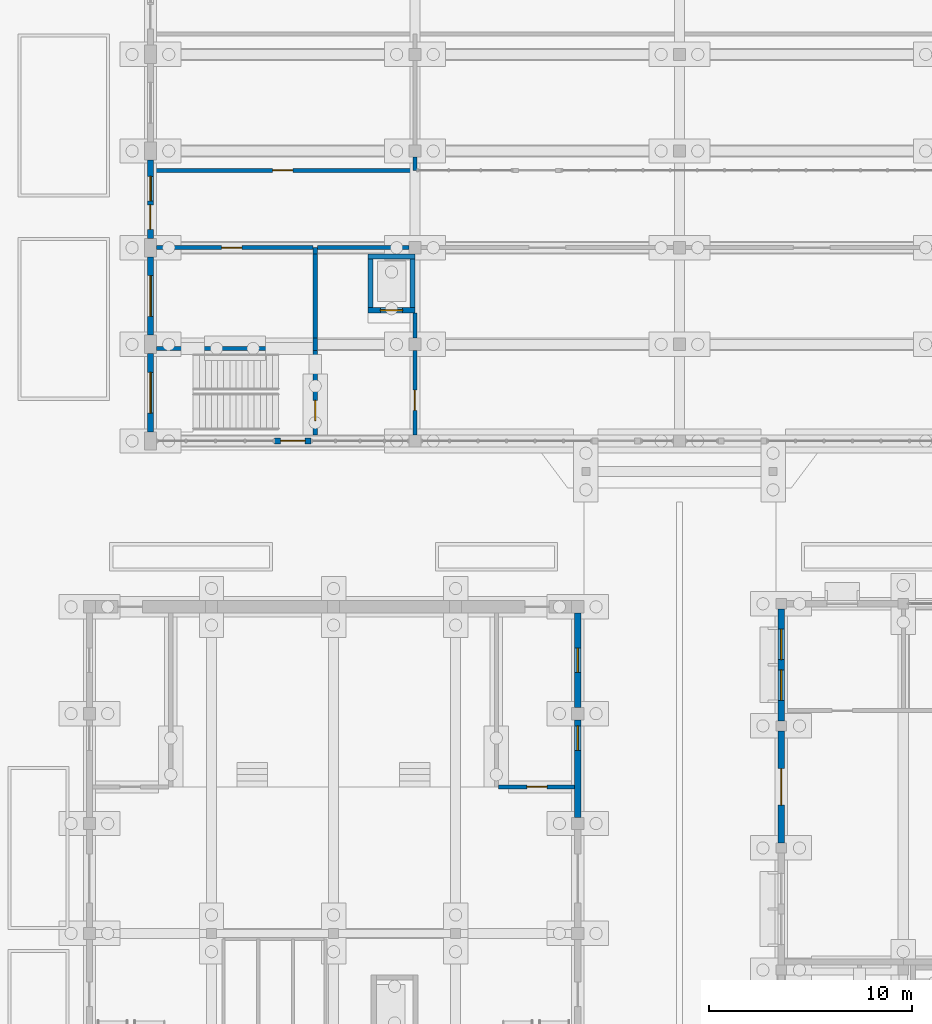
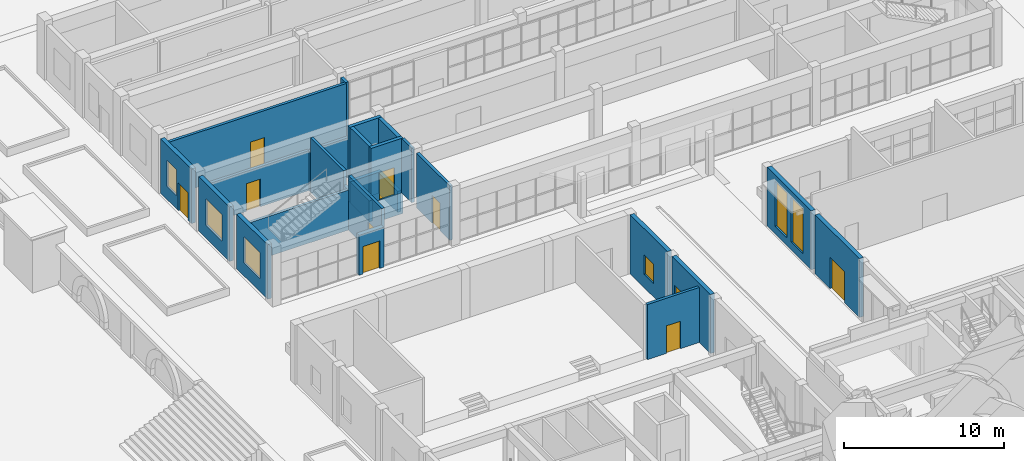
# One storey, part 55 of 161: 28 walls, 9 doors, 7 windows, 16 openings.
"""IFC4 building model written with IfcOpenShell, lengths in metres."""

from ifc_helpers import new_model, si_unit, direction, frame, frame_2d, origin, place, context, subcontext, project, spatial, rectangle, extrude, material, layer, layer_set, type_object, element, fill, save


model = new_model("IFC4")

# Units and contexts
model_context = context("Model", 3, precision=1e-05, world=origin(), true_north=direction((0.0, 1.0)))
body_context = subcontext(model_context, "Body", "Model", "MODEL_VIEW")
ifc_project = project(units=[si_unit("LENGTHUNIT", "METRE"), si_unit("AREAUNIT", "SQUARE_METRE"), si_unit("VOLUMEUNIT", "CUBIC_METRE"), si_unit("PLANEANGLEUNIT", "RADIAN"), si_unit("MASSUNIT", "GRAM", prefix="KILO")], contexts=[model_context])

# Site, building, storey
site_placement = place(None, origin())
site = spatial("IfcSite", under=ifc_project, at=site_placement, CompositionType="ELEMENT")
building_placement = place(site_placement, origin())
building = spatial("IfcBuilding", under=site, at=building_placement, Name="Elbe Cascade School", CompositionType="ELEMENT")
storey_placement = place(building_placement, origin())
storey = spatial("IfcBuildingStorey", under=building, at=storey_placement, Name="L00", CompositionType="ELEMENT", Elevation=0.0)

# Wall, opening, window
ifc_material_1 = material(Name="Concrete C30/37", Category="concrete")
ifc_layer_1 = layer(ifc_material_1, 0.300048828125)
ifc_layer_set_1 = layer_set([ifc_layer_1], Name="Concrete C30/37")
wall_type_1 = type_object("IfcWallType", Name="Assembly hall RC wall 300", PredefinedType="SOLIDWALL", material=ifc_layer_set_1)
wall_1_placement = place(storey_placement, frame((29.0, 27.300048828125, 0.0), z_axis=(0.0, 0.0, 1.0), x_axis=(0.0, -1.0, 0.0)))
wall_1 = element("IfcWall", 1, at=wall_1_placement, inside=storey, type_object=wall_type_1, Name="Assembly hall RC wall 300 W5", PredefinedType="SOLIDWALL", context=body_context, shape_type="SweptSolid", body=[
    extrude(rectangle(XDim=4.800048828125, YDim=0.300048828125, at=frame_2d((2.39990234375, 0.0))), origin(), (0.0, 0.0, 1.0), 4.5),
])
opening_1_placement = place(wall_1_placement, frame((0.300048828125, 0.0, 1.0)))
opening_1 = element("IfcOpeningElement", 2, at=opening_1_placement, cuts=wall_1, Name="Opening W0.140", PredefinedType="OPENING", context=body_context, shape_type="SweptSolid", body=[
    extrude(rectangle(XDim=1.199951171875, YDim=1.5, at=frame_2d((0.60009765625, 0.75))), frame((0.0, 0.159912109375, 0.0), z_axis=(0.0, -1.0, 0.0), x_axis=(1.0, 0.0, 0.0)), (0.0, 0.0, 1.0), 0.320068359375),
])
ifc_material_2 = material(Name="Aluminium - bronze anodised", Category="aluminium")
window_type_1 = type_object("IfcWindowType", Name="Assembly hall small window 1200x1500 sill 1000", PartitioningType="SINGLE_PANEL", PredefinedType="WINDOW", material=ifc_material_2)
window_1_placement = place(opening_1_placement, origin())
window_1 = element("IfcWindow", 3, at=window_1_placement, inside=storey, type_object=window_type_1, Name="Assembly hall small window 1200x1500 sill 1000 W0.140", OverallHeight=1.5, OverallWidth=1.199951171875, PartitioningType="SINGLE_PANEL", PredefinedType="WINDOW", context=body_context, shape_type="SweptSolid", body=[
    extrude(rectangle(XDim=1.199951171875, YDim=1.5, at=frame_2d((0.60009765625, 0.75))), frame((0.0, 0.030029296875, 0.0), z_axis=(0.0, -1.0, 0.0), x_axis=(1.0, 0.0, 0.0)), (0.0, 0.0, 1.0), 0.06005859375),
])
fill(opening_1, window_1)

wall_2_placement = place(storey_placement, frame((29.0, 32.550048828125, 0.0), z_axis=(0.0, 0.0, 1.0), x_axis=(0.0, -1.0, 0.0)))
wall_2 = element("IfcWall", 4, at=wall_2_placement, inside=storey, type_object=wall_type_1, Name="Assembly hall RC wall 300 W5", PredefinedType="SOLIDWALL", context=body_context, shape_type="SweptSolid", body=[
    extrude(rectangle(XDim=4.650146484375, YDim=0.300048828125, at=frame_2d((2.3251953125, 0.0))), origin(), (0.0, 0.0, 1.0), 4.5),
])
opening_2_placement = place(wall_2_placement, frame((1.72509765625, 0.0, 1.0)))
opening_2 = element("IfcOpeningElement", 5, at=opening_2_placement, cuts=wall_2, Name="Opening W0.142", PredefinedType="OPENING", context=body_context, shape_type="SweptSolid", body=[
    extrude(rectangle(XDim=1.199951171875, YDim=1.5, at=frame_2d((0.60009765625, 0.75))), frame((0.0, 0.159912109375, 0.0), z_axis=(0.0, -1.0, 0.0), x_axis=(1.0, 0.0, 0.0)), (0.0, 0.0, 1.0), 0.320068359375),
])
window_2_placement = place(opening_2_placement, origin())
window_2 = element("IfcWindow", 6, at=window_2_placement, inside=storey, type_object=window_type_1, Name="Assembly hall small window 1200x1500 sill 1000 W0.142", OverallHeight=1.5, OverallWidth=1.199951171875, PartitioningType="SINGLE_PANEL", PredefinedType="WINDOW", context=body_context, shape_type="SweptSolid", body=[
    extrude(rectangle(XDim=1.199951171875, YDim=1.5, at=frame_2d((0.60009765625, 0.75))), frame((0.0, 0.030029296875, 0.0), z_axis=(0.0, -1.0, 0.0), x_axis=(1.0, 0.0, 0.0)), (0.0, 0.0, 1.0), 0.06005859375),
])
fill(opening_2, window_2)

# Wall, opening, door
ifc_material_3 = material(Name="Concrete C30/37", Category="concrete")
ifc_layer_2 = layer(ifc_material_3, 0.199951171875)
ifc_layer_set_2 = layer_set([ifc_layer_2], Name="Concrete C30/37")
wall_type_2 = type_object("IfcWallType", Name="Assembly hall concrete partition wall 200", PredefinedType="SOLIDWALL", material=ifc_layer_set_2)
wall_3_placement = place(storey_placement, frame((25.10009765625, 24.0, 0.0), z_axis=(0.0, 0.0, 1.0), x_axis=(1.0, 0.0, 0.0)))
wall_3 = element("IfcWall", 7, at=wall_3_placement, inside=storey, type_object=wall_type_2, Name="Assembly hall concrete partition wall 200 W9", PredefinedType="SOLIDWALL", context=body_context, shape_type="SweptSolid", body=[
    extrude(rectangle(XDim=3.75, YDim=0.199951171875, at=frame_2d((1.875, 0.0))), origin(), (0.0, 0.0, 1.0), 4.199951171875),
])
opening_3_placement = place(wall_3_placement, frame((1.39990234375, 0.0, 0.0)))
opening_3 = element("IfcOpeningElement", 8, at=opening_3_placement, cuts=wall_3, Name="Opening D0.166", PredefinedType="OPENING", context=body_context, shape_type="SweptSolid", body=[
    extrude(rectangle(XDim=1.0, YDim=2.10009765625, at=frame_2d((0.5, 1.050048828125))), frame((0.0, 0.10986328125, 0.0), z_axis=(0.0, -1.0, 0.0), x_axis=(1.0, 0.0, 0.0)), (0.0, 0.0, 1.0), 0.219970703125),
])
ifc_material_4 = material(Name="Timber - oak door leaf", Category="wood")
door_type_1 = type_object("IfcDoorType", Name="Assembly hall back-of-house door 1000x2100 swing NOT RATED", OperationType="NOTDEFINED", PredefinedType="NOTDEFINED", material=ifc_material_4)
door_1_placement = place(opening_3_placement, origin())
door_1 = element("IfcDoor", 9, at=door_1_placement, inside=storey, type_object=door_type_1, Name="Assembly hall back-of-house door 1000x2100 swing NOT RATED D0.166", OperationType="SINGLE_SWING_RIGHT", OverallHeight=2.10009765625, OverallWidth=1.0, PredefinedType="NOTDEFINED", context=body_context, shape_type="SweptSolid", body=[
    extrude(rectangle(XDim=1.0, YDim=2.10009765625, at=frame_2d((0.5, 1.050048828125))), frame((0.0, 0.02490234375, 0.0), z_axis=(0.0, -1.0, 0.0), x_axis=(1.0, 0.0, 0.0)), (0.0, 0.0, 1.0), 0.050048828125),
])
fill(opening_3, door_1)

ifc_material_5 = material(Name="Concrete C30/37", Category="concrete")
ifc_layer_3 = layer(ifc_material_5, 0.300048828125)
ifc_layer_set_3 = layer_set([ifc_layer_3], Name="Concrete C30/37")
wall_type_3 = type_object("IfcWallType", Name="Dining hall RC wall 300", PredefinedType="SOLIDWALL", material=ifc_layer_set_3)
wall_4_placement = place(storey_placement, frame((39.0, 21.25, 0.0), z_axis=(0.0, 0.0, 1.0), x_axis=(0.0, 1.0, 0.0)))
wall_4 = element("IfcWall", 10, at=wall_4_placement, inside=storey, type_object=wall_type_3, Name="Dining hall RC wall 300 W11", PredefinedType="SOLIDWALL", context=body_context, shape_type="SweptSolid", body=[
    extrude(rectangle(XDim=5.5, YDim=0.300048828125, at=frame_2d((2.75, 0.0))), origin(), (0.0, 0.0, 1.0), 4.5),
])
opening_4_placement = place(wall_4_placement, frame((1.85009765625, 0.0, 0.0)))
opening_4 = element("IfcOpeningElement", 11, at=opening_4_placement, cuts=wall_4, Name="Opening D0.182", PredefinedType="OPENING", context=body_context, shape_type="SweptSolid", body=[
    extrude(rectangle(XDim=1.800048828125, YDim=2.39990234375, at=frame_2d((0.89990234375, 1.199951171875))), frame((0.0, 0.159912109375, 0.0), z_axis=(0.0, -1.0, 0.0), x_axis=(1.0, 0.0, 0.0)), (0.0, 0.0, 1.0), 0.320068359375),
])
ifc_material_6 = material(Name="Timber - oak door leaf", Category="wood")
door_type_2 = type_object("IfcDoorType", Name="Dining hall exit door 1800x2400 double NOT RATED", OperationType="DOUBLE_DOOR_SINGLE_SWING", PredefinedType="NOTDEFINED", material=ifc_material_6)
door_2_placement = place(opening_4_placement, origin())
door_2 = element("IfcDoor", 12, at=door_2_placement, inside=storey, type_object=door_type_2, Name="Dining hall exit door 1800x2400 double NOT RATED D0.182", OperationType="DOUBLE_DOOR_SINGLE_SWING", OverallHeight=2.39990234375, OverallWidth=1.800048828125, PredefinedType="NOTDEFINED", context=body_context, shape_type="SweptSolid", body=[
    extrude(rectangle(XDim=1.800048828125, YDim=2.39990234375, at=frame_2d((0.89990234375, 1.199951171875))), frame((0.0, 0.02490234375, 0.0), z_axis=(0.0, -1.0, 0.0), x_axis=(1.0, 0.0, 0.0)), (0.0, 0.0, 1.0), 0.050048828125),
])
fill(opening_4, door_2)

# Wall, openings, windows
wall_5_placement = place(storey_placement, frame((39.0, 27.25, 0.0), z_axis=(0.0, 0.0, 1.0), x_axis=(0.0, 1.0, 0.0)))
wall_5 = element("IfcWall", 13, at=wall_5_placement, inside=storey, type_object=wall_type_3, Name="Dining hall RC wall 300 W11", PredefinedType="SOLIDWALL", context=body_context, shape_type="SweptSolid", body=[
    extrude(rectangle(XDim=5.5, YDim=0.300048828125, at=frame_2d((2.75, 0.0))), origin(), (0.0, 0.0, 1.0), 4.5),
])
opening_5_placement = place(wall_5_placement, frame((1.0, 0.0, 0.60009765625)))
opening_5 = element("IfcOpeningElement", 14, at=opening_5_placement, cuts=wall_5, Name="Opening W0.152", PredefinedType="OPENING", context=body_context, shape_type="SweptSolid", body=[
    extrude(rectangle(XDim=1.5, YDim=3.39990234375, at=frame_2d((0.75, 1.699951171875))), frame((0.0, 0.159912109375, 0.0), z_axis=(0.0, -1.0, 0.0), x_axis=(1.0, 0.0, 0.0)), (0.0, 0.0, 1.0), 0.320068359375),
])
opening_6_placement = place(wall_5_placement, frame((3.0, 0.0, 0.60009765625)))
opening_6 = element("IfcOpeningElement", 15, at=opening_6_placement, cuts=wall_5, Name="Opening W0.154", PredefinedType="OPENING", context=body_context, shape_type="SweptSolid", body=[
    extrude(rectangle(XDim=1.5, YDim=3.39990234375, at=frame_2d((0.75, 1.699951171875))), frame((0.0, 0.159912109375, 0.0), z_axis=(0.0, -1.0, 0.0), x_axis=(1.0, 0.0, 0.0)), (0.0, 0.0, 1.0), 0.320068359375),
])
ifc_material_7 = material(Name="Aluminium - bronze anodised", Category="aluminium")
window_type_2 = type_object("IfcWindowType", Name="Dining hall window 1500x3400 sill 600", PartitioningType="SINGLE_PANEL", PredefinedType="WINDOW", material=ifc_material_7)
window_3_placement = place(opening_5_placement, origin())
window_3 = element("IfcWindow", 16, at=window_3_placement, inside=storey, type_object=window_type_2, Name="Dining hall window 1500x3400 sill 600 W0.152", OverallHeight=3.39990234375, OverallWidth=1.5, PartitioningType="SINGLE_PANEL", PredefinedType="WINDOW", context=body_context, shape_type="SweptSolid", body=[
    extrude(rectangle(XDim=1.5, YDim=3.39990234375, at=frame_2d((0.75, 1.699951171875))), frame((0.0, 0.030029296875, 0.0), z_axis=(0.0, -1.0, 0.0), x_axis=(1.0, 0.0, 0.0)), (0.0, 0.0, 1.0), 0.06005859375),
])
fill(opening_5, window_3)
window_4_placement = place(opening_6_placement, origin())
window_4 = element("IfcWindow", 17, at=window_4_placement, inside=storey, type_object=window_type_2, Name="Dining hall window 1500x3400 sill 600 W0.154", OverallHeight=3.39990234375, OverallWidth=1.5, PartitioningType="SINGLE_PANEL", PredefinedType="WINDOW", context=body_context, shape_type="SweptSolid", body=[
    extrude(rectangle(XDim=1.5, YDim=3.39990234375, at=frame_2d((0.75, 1.699951171875))), frame((0.0, 0.030029296875, 0.0), z_axis=(0.0, -1.0, 0.0), x_axis=(1.0, 0.0, 0.0)), (0.0, 0.0, 1.0), 0.06005859375),
])
fill(opening_6, window_4)

# Wall, opening, door
ifc_material_8 = material(Name="Blockwork - lightweight aggregate", Category="masonry")
ifc_layer_4 = layer(ifc_material_8, 0.199951171875)
ifc_layer_set_4 = layer_set([ifc_layer_4], Name="Blockwork - lightweight aggregate")
wall_type_4 = type_object("IfcWallType", Name="Hall blockwork partition 200", PredefinedType="PARTITIONING", material=ifc_layer_set_4)
wall_6_placement = place(storey_placement, frame((8.300048828125, 50.5, 0.0), z_axis=(0.0, 0.0, 1.0), x_axis=(1.0, 0.0, 0.0)))
wall_6 = element("IfcWall", 18, at=wall_6_placement, inside=storey, type_object=wall_type_4, Name="Partition", PredefinedType="PARTITIONING", context=body_context, shape_type="SweptSolid", body=[
    extrude(rectangle(XDim=7.699951171875, YDim=0.199951171875, at=frame_2d((3.85009765625, 0.0))), origin(), (0.0, 0.0, 1.0), 3.050048828125),
])
opening_7_placement = place(wall_6_placement, frame((3.199951171875, 0.0, 0.0)))
opening_7 = element("IfcOpeningElement", 19, at=opening_7_placement, cuts=wall_6, Name="Opening D0.136", PredefinedType="OPENING", context=body_context, shape_type="SweptSolid", body=[
    extrude(rectangle(XDim=1.0, YDim=2.10009765625, at=frame_2d((0.5, 1.050048828125))), frame((0.0, 0.10986328125, 0.0), z_axis=(0.0, -1.0, 0.0), x_axis=(1.0, 0.0, 0.0)), (0.0, 0.0, 1.0), 0.219970703125),
])
ifc_material_9 = material(Name="Timber door leaf", Category="wood")
door_type_3 = type_object("IfcDoorType", Name="Hall door 1000", OperationType="SINGLE_SWING_LEFT", PredefinedType="DOOR", material=ifc_material_9)
door_3_placement = place(opening_7_placement, frame((1.0, 0.0, 0.0), z_axis=(0.0, 0.0, 1.0), x_axis=(-1.0, 0.0, 0.0)))
door_3 = element("IfcDoor", 20, at=door_3_placement, inside=storey, type_object=door_type_3, Name="Staff room door", OperationType="SINGLE_SWING_LEFT", OverallHeight=2.10009765625, OverallWidth=1.0, PredefinedType="DOOR", context=body_context, shape_type="SweptSolid", body=[
    extrude(rectangle(XDim=1.0, YDim=2.10009765625, at=frame_2d((0.5, 1.050048828125))), frame((0.0, 0.02490234375, 0.0), z_axis=(0.0, -1.0, 0.0), x_axis=(1.0, 0.0, 0.0)), (0.0, 0.0, 1.0), 0.050048828125),
])
fill(opening_7, door_3)

wall_7_placement = place(storey_placement, frame((8.14990234375, 54.300048828125, 0.0), z_axis=(0.0, 0.0, 1.0), x_axis=(1.0, 0.0, 0.0)))
wall_7 = element("IfcWall", 21, at=wall_7_placement, inside=storey, type_object=wall_type_4, Name="Partition", PredefinedType="PARTITIONING", context=body_context, shape_type="SweptSolid", body=[
    extrude(rectangle(XDim=12.75, YDim=0.199951171875, at=frame_2d((6.375, 0.0))), origin(), (0.0, 0.0, 1.0), 4.14990234375),
])
opening_8_placement = place(wall_7_placement, frame((5.85009765625, 0.0, 0.0)))
opening_8 = element("IfcOpeningElement", 22, at=opening_8_placement, cuts=wall_7, Name="Opening D0.143", PredefinedType="OPENING", context=body_context, shape_type="SweptSolid", body=[
    extrude(rectangle(XDim=1.0, YDim=2.10009765625, at=frame_2d((0.5, 1.050048828125))), frame((0.0, 0.10986328125, 0.0), z_axis=(0.0, -1.0, 0.0), x_axis=(1.0, 0.0, 0.0)), (0.0, 0.0, 1.0), 0.219970703125),
])
door_4_placement = place(opening_8_placement, origin())
door_4 = element("IfcDoor", 23, at=door_4_placement, inside=storey, type_object=door_type_3, Name="Changing room door", OperationType="SINGLE_SWING_RIGHT", OverallHeight=2.10009765625, OverallWidth=1.0, PredefinedType="DOOR", context=body_context, shape_type="SweptSolid", body=[
    extrude(rectangle(XDim=1.0, YDim=2.10009765625, at=frame_2d((0.5, 1.050048828125))), frame((0.0, 0.02490234375, 0.0), z_axis=(0.0, -1.0, 0.0), x_axis=(1.0, 0.0, 0.0)), (0.0, 0.0, 1.0), 0.050048828125),
])
fill(opening_8, door_4)

# Walls
wall_8_placement = place(storey_placement, frame((21.0, 54.300048828125, 0.0), z_axis=(0.0, 0.0, 1.0), x_axis=(0.0, 1.0, 0.0)))
element("IfcWall", 24, at=wall_8_placement, inside=storey, type_object=wall_type_4, Name="Partition", PredefinedType="PARTITIONING", context=body_context, shape_type="SweptSolid", body=[
    extrude(rectangle(XDim=0.64990234375, YDim=0.199951171875, at=frame_2d((0.324951171875, 0.0))), origin(), (0.0, 0.0, 1.0), 4.14990234375),
])
ifc_material_10 = material(Name="Blockwork - lightweight aggregate, fire-rated", Category="masonry")
ifc_layer_5 = layer(ifc_material_10, 0.199951171875)
ifc_layer_set_5 = layer_set([ifc_layer_5], Name="Blockwork - lightweight aggregate, fire-rated")
wall_type_5 = type_object("IfcWallType", Name="Hall fire-rated partition 200", PredefinedType="PARTITIONING", material=ifc_layer_set_5)
wall_9_placement = place(storey_placement, frame((16.199951171875, 50.5, 0.0), z_axis=(0.0, 0.0, 1.0), x_axis=(1.0, 0.0, 0.0)))
element("IfcWall", 25, at=wall_9_placement, inside=storey, type_object=wall_type_5, Name="Partition", PredefinedType="PARTITIONING", context=body_context, shape_type="SweptSolid", body=[
    extrude(rectangle(XDim=4.5, YDim=0.199951171875, at=frame_2d((2.25, 0.0))), origin(), (0.0, 0.0, 1.0), 3.050048828125),
])
wall_10_placement = place(storey_placement, frame((16.10009765625, 45.449951171875, 0.0), z_axis=(0.0, 0.0, 1.0), x_axis=(0.0, 1.0, 0.0)))
element("IfcWall", 26, at=wall_10_placement, inside=storey, type_object=wall_type_5, Name="Partition", PredefinedType="PARTITIONING", context=body_context, shape_type="SweptSolid", body=[
    extrude(rectangle(XDim=0.60009765625, YDim=0.199951171875, at=frame_2d((0.300048828125, 0.0))), origin(), (0.0, 0.0, 1.0), 3.050048828125),
])
wall_11_placement = place(storey_placement, frame((16.10009765625, 46.050048828125, 0.0), z_axis=(0.0, 0.0, 1.0), x_axis=(0.0, 1.0, 0.0)))
element("IfcWall", 27, at=wall_11_placement, inside=storey, type_object=wall_type_5, Name="Partition", PredefinedType="PARTITIONING", context=body_context, shape_type="SweptSolid", body=[
    extrude(rectangle(XDim=4.14990234375, YDim=0.199951171875, at=frame_2d((2.074951171875, 0.0))), origin(), (0.0, 0.0, 1.0), 4.14990234375),
])
wall_12_placement = place(storey_placement, frame((16.10009765625, 50.199951171875, 0.0), z_axis=(0.0, 0.0, 1.0), x_axis=(0.0, 1.0, 0.0)))
element("IfcWall", 28, at=wall_12_placement, inside=storey, type_object=wall_type_5, Name="Partition", PredefinedType="PARTITIONING", context=body_context, shape_type="SweptSolid", body=[
    extrude(rectangle(XDim=0.300048828125, YDim=0.199951171875, at=frame_2d((0.14990234375, 0.0))), origin(), (0.0, 0.0, 1.0), 3.050048828125),
])

# Wall, opening, door
wall_13_placement = place(storey_placement, frame((21.0, 41.300048828125, 0.0), z_axis=(0.0, 0.0, 1.0), x_axis=(0.0, 1.0, 0.0)))
wall_13 = element("IfcWall", 29, at=wall_13_placement, inside=storey, type_object=wall_type_5, Name="Partition", PredefinedType="PARTITIONING", context=body_context, shape_type="SweptSolid", body=[
    extrude(rectangle(XDim=4.14990234375, YDim=0.199951171875, at=frame_2d((2.074951171875, 0.0))), origin(), (0.0, 0.0, 1.0), 4.14990234375),
])
opening_9_placement = place(wall_13_placement, frame((1.199951171875, 0.0, 0.0)))
opening_9 = element("IfcOpeningElement", 30, at=opening_9_placement, cuts=wall_13, Name="Opening D0.132", PredefinedType="OPENING", context=body_context, shape_type="SweptSolid", body=[
    extrude(rectangle(XDim=1.0, YDim=2.10009765625, at=frame_2d((0.5, 1.050048828125))), frame((0.0, 0.10986328125, 0.0), z_axis=(0.0, -1.0, 0.0), x_axis=(1.0, 0.0, 0.0)), (0.0, 0.0, 1.0), 0.219970703125),
])
ifc_material_11 = material(Name="Steel fire door leaf", Category="steel")
door_type_4 = type_object("IfcDoorType", Name="Hall fire door 1000 FD30S", OperationType="SINGLE_SWING_LEFT", PredefinedType="DOOR", material=ifc_material_11)
door_5_placement = place(opening_9_placement, frame((1.0, 0.0, 0.0), z_axis=(0.0, 0.0, 1.0), x_axis=(-1.0, 0.0, 0.0)))
door_5 = element("IfcDoor", 31, at=door_5_placement, inside=storey, type_object=door_type_4, Name="Lobby door", OperationType="SINGLE_SWING_LEFT", OverallHeight=2.10009765625, OverallWidth=1.0, PredefinedType="DOOR", context=body_context, shape_type="SweptSolid", body=[
    extrude(rectangle(XDim=1.0, YDim=2.10009765625, at=frame_2d((0.5, 1.050048828125))), frame((0.0, 0.02490234375, 0.0), z_axis=(0.0, -1.0, 0.0), x_axis=(1.0, 0.0, 0.0)), (0.0, 0.0, 1.0), 0.050048828125),
])
fill(opening_9, door_5)

# Walls
wall_14_placement = place(storey_placement, frame((21.0, 46.050048828125, 0.0), z_axis=(0.0, 0.0, 1.0), x_axis=(0.0, 1.0, 0.0)))
element("IfcWall", 32, at=wall_14_placement, inside=storey, type_object=wall_type_5, Name="Partition", PredefinedType="PARTITIONING", context=body_context, shape_type="SweptSolid", body=[
    extrude(rectangle(XDim=1.239990234375, YDim=0.199951171875, at=frame_2d((0.6201171875, 0.0))), origin(), (0.0, 0.0, 1.0), 4.14990234375),
])
ifc_material_12 = material(Name="Concrete C30/37 shaft wall", Category="concrete")
ifc_layer_6 = layer(ifc_material_12, 0.25)
ifc_layer_set_6 = layer_set([ifc_layer_6], Name="Concrete C30/37 shaft wall")
wall_type_6 = type_object("IfcWallType", Name="Hall lift shaft wall Concrete C30/37 250", PredefinedType="SOLIDWALL", material=ifc_layer_set_6)
for number, where, z_axis, x_axis, name in (
    (33, (18.699951171875, 47.425048828125, -1.60009765625), (0.0, 0.0, 1.0), (1.0, 0.0, 0.0), "Lift pit wall"),
    (34, (18.699951171875, 50.074951171875, -1.60009765625), (0.0, 0.0, 1.0), (1.0, 0.0, 0.0), "Lift pit wall"),
):
    element("IfcWall", number, at=place(storey_placement, frame(where, z_axis=z_axis, x_axis=x_axis)), inside=storey, type_object=wall_type_6, Name=name, PredefinedType="SOLIDWALL", context=body_context, shape_type="SweptSolid", body=[
        extrude(rectangle(XDim=2.300048828125, YDim=0.25, at=frame_2d((1.14990234375, 0.0))), origin(), (0.0, 0.0, 1.0), 1.60009765625),
    ])
for number, where, z_axis, x_axis, name in (
    (35, (18.824951171875, 47.550048828125, -1.60009765625), (0.0, 0.0, 1.0), (0.0, 1.0, 0.0), "Lift pit wall"),
    (36, (20.875, 47.550048828125, -1.60009765625), (0.0, 0.0, 1.0), (0.0, 1.0, 0.0), "Lift pit wall"),
):
    element("IfcWall", number, at=place(storey_placement, frame(where, z_axis=z_axis, x_axis=x_axis)), inside=storey, type_object=wall_type_6, Name=name, PredefinedType="SOLIDWALL", context=body_context, shape_type="SweptSolid", body=[
        extrude(rectangle(XDim=2.39990234375, YDim=0.25, at=frame_2d((1.199951171875, 0.0))), origin(), (0.0, 0.0, 1.0), 1.60009765625),
    ])

# Wall, opening, door
wall_15_placement = place(storey_placement, frame((18.699951171875, 47.425048828125, 0.0), z_axis=(0.0, 0.0, 1.0), x_axis=(1.0, 0.0, 0.0)))
wall_15 = element("IfcWall", 37, at=wall_15_placement, inside=storey, type_object=wall_type_6, Name="Lift shaft wall", PredefinedType="SOLIDWALL", context=body_context, shape_type="SweptSolid", body=[
    extrude(rectangle(XDim=2.300048828125, YDim=0.25, at=frame_2d((1.14990234375, 0.0))), origin(), (0.0, 0.0, 1.0), 4.14990234375),
])
opening_10_placement = place(wall_15_placement, frame((0.60009765625, 0.0, 0.0)))
opening_10 = element("IfcOpeningElement", 38, at=opening_10_placement, cuts=wall_15, Name="Opening D0.135", PredefinedType="OPENING", context=body_context, shape_type="SweptSolid", body=[
    extrude(rectangle(XDim=1.10009765625, YDim=2.10009765625, at=frame_2d((0.550048828125, 1.050048828125))), frame((0.0, 0.135009765625, 0.0), z_axis=(0.0, -1.0, 0.0), x_axis=(1.0, 0.0, 0.0)), (0.0, 0.0, 1.0), 0.27001953125),
])
ifc_material_13 = material(Name="Steel - stainless sliding leaf", Category="steel")
door_type_5 = type_object("IfcDoorType", Name="Hall lift landing door 1100", OperationType="SLIDING_TO_LEFT", PredefinedType="DOOR", material=ifc_material_13)
door_6_placement = place(opening_10_placement, frame((1.10009765625, 0.0, 0.0), z_axis=(0.0, 0.0, 1.0), x_axis=(-1.0, 0.0, 0.0)))
door_6 = element("IfcDoor", 39, at=door_6_placement, inside=storey, type_object=door_type_5, Name="Lift landing door", OperationType="SLIDING_TO_LEFT", OverallHeight=2.10009765625, OverallWidth=1.10009765625, PredefinedType="DOOR", context=body_context, shape_type="SweptSolid", body=[
    extrude(rectangle(XDim=1.10009765625, YDim=2.10009765625, at=frame_2d((0.550048828125, 1.050048828125))), frame((0.0, 0.02490234375, 0.0), z_axis=(0.0, -1.0, 0.0), x_axis=(1.0, 0.0, 0.0)), (0.0, 0.0, 1.0), 0.050048828125),
])
fill(opening_10, door_6)

# Walls
wall_16_placement = place(storey_placement, frame((18.699951171875, 50.074951171875, 0.0), z_axis=(0.0, 0.0, 1.0), x_axis=(1.0, 0.0, 0.0)))
element("IfcWall", 40, at=wall_16_placement, inside=storey, type_object=wall_type_6, Name="Lift shaft wall", PredefinedType="SOLIDWALL", context=body_context, shape_type="SweptSolid", body=[
    extrude(rectangle(XDim=2.300048828125, YDim=0.25, at=frame_2d((1.14990234375, 0.0))), origin(), (0.0, 0.0, 1.0), 4.14990234375),
])
for number, where, z_axis, x_axis, name in (
    (41, (18.824951171875, 47.550048828125, 0.0), (0.0, 0.0, 1.0), (0.0, 1.0, 0.0), "Lift shaft wall"),
    (42, (20.875, 47.550048828125, 0.0), (0.0, 0.0, 1.0), (0.0, 1.0, 0.0), "Lift shaft wall"),
):
    element("IfcWall", number, at=place(storey_placement, frame(where, z_axis=z_axis, x_axis=x_axis)), inside=storey, type_object=wall_type_6, Name=name, PredefinedType="SOLIDWALL", context=body_context, shape_type="SweptSolid", body=[
        extrude(rectangle(XDim=2.39990234375, YDim=0.25, at=frame_2d((1.199951171875, 0.0))), origin(), (0.0, 0.0, 1.0), 4.14990234375),
    ])
ifc_material_14 = material(Name="Concrete C30/37", Category="concrete")
ifc_layer_7 = layer(ifc_material_14, 0.199951171875)
ifc_layer_set_7 = layer_set([ifc_layer_7], Name="Concrete C30/37")
wall_type_7 = type_object("IfcWallType", Name="Hall stair room wall 200", PredefinedType="SOLIDWALL", material=ifc_layer_set_7)
wall_17_placement = place(storey_placement, frame((8.300048828125, 45.550048828125, 0.0), z_axis=(0.0, 0.0, 1.0), x_axis=(1.0, 0.0, 0.0)))
element("IfcWall", 43, at=wall_17_placement, inside=storey, type_object=wall_type_7, Name="Stair room wall", PredefinedType="SOLIDWALL", context=body_context, shape_type="SweptSolid", body=[
    extrude(rectangle(XDim=7.699951171875, YDim=0.199951171875, at=frame_2d((3.85009765625, 0.0))), origin(), (0.0, 0.0, 1.0), 3.050048828125),
])

# Wall, opening, door
wall_18_placement = place(storey_placement, frame((16.10009765625, 41.300048828125, 0.0), z_axis=(0.0, 0.0, 1.0), x_axis=(0.0, 1.0, 0.0)))
wall_18 = element("IfcWall", 44, at=wall_18_placement, inside=storey, type_object=wall_type_7, Name="Stair room wall", PredefinedType="SOLIDWALL", context=body_context, shape_type="SweptSolid", body=[
    extrude(rectangle(XDim=4.14990234375, YDim=0.199951171875, at=frame_2d((2.074951171875, 0.0))), origin(), (0.0, 0.0, 1.0), 4.14990234375),
])
opening_11_placement = place(wall_18_placement, frame((0.699951171875, 0.0, 0.0)))
opening_11 = element("IfcOpeningElement", 45, at=opening_11_placement, cuts=wall_18, Name="Opening D0.131", PredefinedType="OPENING", context=body_context, shape_type="SweptSolid", body=[
    extrude(rectangle(XDim=1.0, YDim=2.10009765625, at=frame_2d((0.5, 1.050048828125))), frame((0.0, 0.10986328125, 0.0), z_axis=(0.0, -1.0, 0.0), x_axis=(1.0, 0.0, 0.0)), (0.0, 0.0, 1.0), 0.219970703125),
])
door_7_placement = place(opening_11_placement, frame((1.0, 0.0, 0.0), z_axis=(0.0, 0.0, 1.0), x_axis=(-1.0, 0.0, 0.0)))
door_7 = element("IfcDoor", 46, at=door_7_placement, inside=storey, type_object=door_type_4, Name="Stair door", OperationType="SINGLE_SWING_RIGHT", OverallHeight=2.10009765625, OverallWidth=1.0, PredefinedType="DOOR", context=body_context, shape_type="SweptSolid", body=[
    extrude(rectangle(XDim=1.0, YDim=2.10009765625, at=frame_2d((0.5, 1.050048828125))), frame((0.0, 0.02490234375, 0.0), z_axis=(0.0, -1.0, 0.0), x_axis=(1.0, 0.0, 0.0)), (0.0, 0.0, 1.0), 0.050048828125),
])
fill(opening_11, door_7)

# Wall, opening, window
ifc_material_15 = material(Name="Concrete C30/37 wall", Category="concrete")
ifc_layer_8 = layer(ifc_material_15, 0.300048828125)
ifc_layer_set_8 = layer_set([ifc_layer_8], Name="Concrete C30/37 wall")
wall_type_8 = type_object("IfcWallType", Name="Hall wall Concrete C30/37 300", PredefinedType="SOLIDWALL", material=ifc_layer_set_8)
wall_19_placement = place(storey_placement, frame((8.0, 41.449951171875, 0.0), z_axis=(0.0, 0.0, 1.0), x_axis=(0.0, 1.0, 0.0)))
wall_19 = element("IfcWall", 47, at=wall_19_placement, inside=storey, type_object=wall_type_8, Name="Hall wall W1", PredefinedType="SOLIDWALL", context=body_context, shape_type="SweptSolid", body=[
    extrude(rectangle(XDim=3.85009765625, YDim=0.300048828125, at=frame_2d((1.925048828125, 0.0))), origin(), (0.0, 0.0, 1.0), 4.14990234375),
])
opening_12_placement = place(wall_19_placement, frame((0.925048828125, 0.0, 1.0)))
opening_12 = element("IfcOpeningElement", 48, at=opening_12_placement, cuts=wall_19, Name="Opening W0.125", PredefinedType="OPENING", context=body_context, shape_type="SweptSolid", body=[
    extrude(rectangle(XDim=2.0, YDim=2.0, at=frame_2d((1.0, 1.0))), frame((0.0, 0.159912109375, 0.0), z_axis=(0.0, -1.0, 0.0), x_axis=(1.0, 0.0, 0.0)), (0.0, 0.0, 1.0), 0.320068359375),
])
ifc_material_16 = material(Name="Glass - double glazed low-E", Category="glass")
window_type_3 = type_object("IfcWindowType", Name="Hall base window 2000x2000", PartitioningType="SINGLE_PANEL", PredefinedType="WINDOW", material=ifc_material_16)
window_5_placement = place(opening_12_placement, origin())
window_5 = element("IfcWindow", 49, at=window_5_placement, inside=storey, type_object=window_type_3, Name="Window W1", OverallHeight=2.0, OverallWidth=2.0, PartitioningType="SINGLE_PANEL", PredefinedType="WINDOW", context=body_context, shape_type="SweptSolid", body=[
    extrude(rectangle(XDim=2.0, YDim=2.0, at=frame_2d((1.0, 1.0))), frame((0.0, 0.030029296875, 0.0), z_axis=(0.0, -1.0, 0.0), x_axis=(1.0, 0.0, 0.0)), (0.0, 0.0, 1.0), 0.06005859375),
])
fill(opening_12, window_5)

wall_20_placement = place(storey_placement, frame((8.0, 46.199951171875, 0.0), z_axis=(0.0, 0.0, 1.0), x_axis=(0.0, 1.0, 0.0)))
wall_20 = element("IfcWall", 50, at=wall_20_placement, inside=storey, type_object=wall_type_8, Name="Hall wall W2", PredefinedType="SOLIDWALL", context=body_context, shape_type="SweptSolid", body=[
    extrude(rectangle(XDim=3.85009765625, YDim=0.300048828125, at=frame_2d((1.925048828125, 0.0))), origin(), (0.0, 0.0, 1.0), 4.14990234375),
])
opening_13_placement = place(wall_20_placement, frame((0.925048828125, 0.0, 1.0)))
opening_13 = element("IfcOpeningElement", 51, at=opening_13_placement, cuts=wall_20, Name="Opening W0.127", PredefinedType="OPENING", context=body_context, shape_type="SweptSolid", body=[
    extrude(rectangle(XDim=2.0, YDim=2.0, at=frame_2d((1.0, 1.0))), frame((0.0, 0.159912109375, 0.0), z_axis=(0.0, -1.0, 0.0), x_axis=(1.0, 0.0, 0.0)), (0.0, 0.0, 1.0), 0.320068359375),
])
window_6_placement = place(opening_13_placement, origin())
window_6 = element("IfcWindow", 52, at=window_6_placement, inside=storey, type_object=window_type_3, Name="Window W2", OverallHeight=2.0, OverallWidth=2.0, PartitioningType="SINGLE_PANEL", PredefinedType="WINDOW", context=body_context, shape_type="SweptSolid", body=[
    extrude(rectangle(XDim=2.0, YDim=2.0, at=frame_2d((1.0, 1.0))), frame((0.0, 0.030029296875, 0.0), z_axis=(0.0, -1.0, 0.0), x_axis=(1.0, 0.0, 0.0)), (0.0, 0.0, 1.0), 0.06005859375),
])
fill(opening_13, window_6)

# Wall, openings, window, door
wall_21_placement = place(storey_placement, frame((8.0, 50.949951171875, 0.0), z_axis=(0.0, 0.0, 1.0), x_axis=(0.0, 1.0, 0.0)))
wall_21 = element("IfcWall", 53, at=wall_21_placement, inside=storey, type_object=wall_type_8, Name="Hall wall W3", PredefinedType="SOLIDWALL", context=body_context, shape_type="SweptSolid", body=[
    extrude(rectangle(XDim=3.85009765625, YDim=0.300048828125, at=frame_2d((1.925048828125, 0.0))), origin(), (0.0, 0.0, 1.0), 4.14990234375),
])
opening_14_placement = place(wall_21_placement, frame((1.85009765625, 0.0, 1.0)))
opening_14 = element("IfcOpeningElement", 54, at=opening_14_placement, cuts=wall_21, Name="Opening W0.129", PredefinedType="OPENING", context=body_context, shape_type="SweptSolid", body=[
    extrude(rectangle(XDim=1.199951171875, YDim=2.0, at=frame_2d((0.60009765625, 1.0))), frame((0.0, 0.159912109375, 0.0), z_axis=(0.0, -1.0, 0.0), x_axis=(1.0, 0.0, 0.0)), (0.0, 0.0, 1.0), 0.320068359375),
])
opening_15_placement = place(wall_21_placement, frame((0.449951171875, 0.0, 0.0)))
opening_15 = element("IfcOpeningElement", 55, at=opening_15_placement, cuts=wall_21, Name="Opening D0.141", PredefinedType="OPENING", context=body_context, shape_type="SweptSolid", body=[
    extrude(rectangle(XDim=1.199951171875, YDim=2.10009765625, at=frame_2d((0.60009765625, 1.050048828125))), frame((0.0, 0.159912109375, 0.0), z_axis=(0.0, -1.0, 0.0), x_axis=(1.0, 0.0, 0.0)), (0.0, 0.0, 1.0), 0.320068359375),
])
ifc_material_17 = material(Name="Glass - double glazed low-E", Category="glass")
window_type_4 = type_object("IfcWindowType", Name="Hall base window 1200x2000", PartitioningType="SINGLE_PANEL", PredefinedType="WINDOW", material=ifc_material_17)
window_7_placement = place(opening_14_placement, origin())
window_7 = element("IfcWindow", 56, at=window_7_placement, inside=storey, type_object=window_type_4, Name="Window W3", OverallHeight=2.0, OverallWidth=1.199951171875, PartitioningType="SINGLE_PANEL", PredefinedType="WINDOW", context=body_context, shape_type="SweptSolid", body=[
    extrude(rectangle(XDim=1.199951171875, YDim=2.0, at=frame_2d((0.60009765625, 1.0))), frame((0.0, 0.030029296875, 0.0), z_axis=(0.0, -1.0, 0.0), x_axis=(1.0, 0.0, 0.0)), (0.0, 0.0, 1.0), 0.06005859375),
])
fill(opening_14, window_7)
ifc_material_18 = material(Name="Aluminium - powder coated frame, glazed leaf", Category="aluminium")
door_type_6 = type_object("IfcDoorType", Name="Hall exterior door 1200", OperationType="SINGLE_SWING_LEFT", PredefinedType="DOOR", material=ifc_material_18)
door_8_placement = place(opening_15_placement, origin())
door_8 = element("IfcDoor", 57, at=door_8_placement, inside=storey, type_object=door_type_6, Name="Exit", OperationType="SINGLE_SWING_LEFT", OverallHeight=2.10009765625, OverallWidth=1.199951171875, PredefinedType="DOOR", context=body_context, shape_type="SweptSolid", body=[
    extrude(rectangle(XDim=1.199951171875, YDim=2.10009765625, at=frame_2d((0.60009765625, 1.050048828125))), frame((0.0, 0.02490234375, 0.0), z_axis=(0.0, -1.0, 0.0), x_axis=(1.0, 0.0, 0.0)), (0.0, 0.0, 1.0), 0.050048828125),
])
fill(opening_15, door_8)

# Wall, opening, door
ifc_material_19 = material(Name="Concrete C30/37 wall", Category="concrete")
ifc_layer_9 = layer(ifc_material_19, 0.300048828125)
ifc_layer_set_9 = layer_set([ifc_layer_9], Name="Concrete C30/37 wall")
wall_type_9 = type_object("IfcWallType", Name="Hall wall Concrete C30/37 300 non-load-bearing", PredefinedType="SOLIDWALL", material=ifc_layer_set_9)
wall_22_placement = place(storey_placement, frame((14.10009765625, 41.0, 0.0), z_axis=(0.0, 0.0, 1.0), x_axis=(1.0, 0.0, 0.0)))
wall_22 = element("IfcWall", 58, at=wall_22_placement, inside=storey, type_object=wall_type_9, Name="Hall gable wall S stair 1", PredefinedType="SOLIDWALL", context=body_context, shape_type="SweptSolid", body=[
    extrude(rectangle(XDim=1.7998046875, YDim=0.300048828125, at=frame_2d((0.89990234375, 0.0))), origin(), (0.0, 0.0, 1.0), 3.050048828125),
])
opening_16_placement = place(wall_22_placement, frame((0.300048828125, 0.0, 0.0)))
opening_16 = element("IfcOpeningElement", 59, at=opening_16_placement, cuts=wall_22, Name="Opening D0.127", PredefinedType="OPENING", context=body_context, shape_type="SweptSolid", body=[
    extrude(rectangle(XDim=1.199951171875, YDim=2.10009765625, at=frame_2d((0.60009765625, 1.050048828125))), frame((0.0, 0.159912109375, 0.0), z_axis=(0.0, -1.0, 0.0), x_axis=(1.0, 0.0, 0.0)), (0.0, 0.0, 1.0), 0.320068359375),
])
door_9_placement = place(opening_16_placement, frame((1.199951171875, 0.0, 0.0), z_axis=(0.0, 0.0, 1.0), x_axis=(-1.0, 0.0, 0.0)))
door_9 = element("IfcDoor", 60, at=door_9_placement, inside=storey, type_object=door_type_6, Name="Stair exit", OperationType="SINGLE_SWING_LEFT", OverallHeight=2.10009765625, OverallWidth=1.199951171875, PredefinedType="DOOR", context=body_context, shape_type="SweptSolid", body=[
    extrude(rectangle(XDim=1.199951171875, YDim=2.10009765625, at=frame_2d((0.60009765625, 1.050048828125))), frame((0.0, 0.02490234375, 0.0), z_axis=(0.0, -1.0, 0.0), x_axis=(1.0, 0.0, 0.0)), (0.0, 0.0, 1.0), 0.050048828125),
])
fill(opening_16, door_9)

save(model, "model.ifc")
